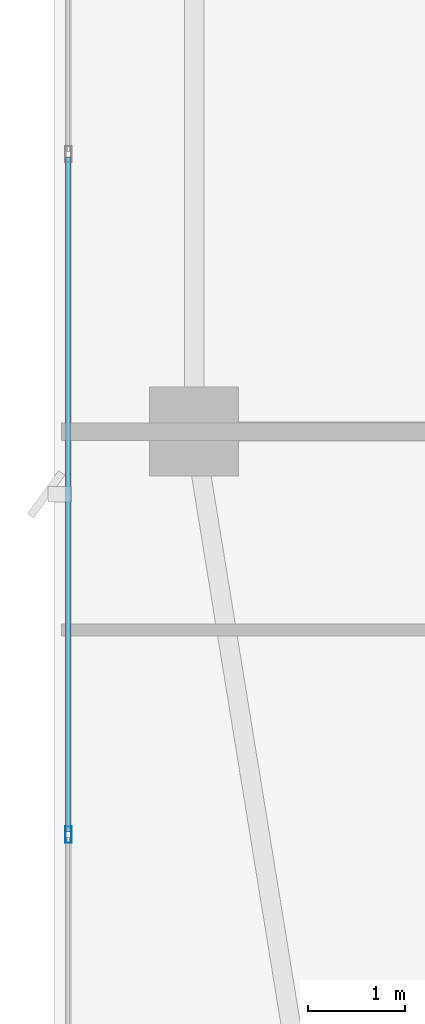
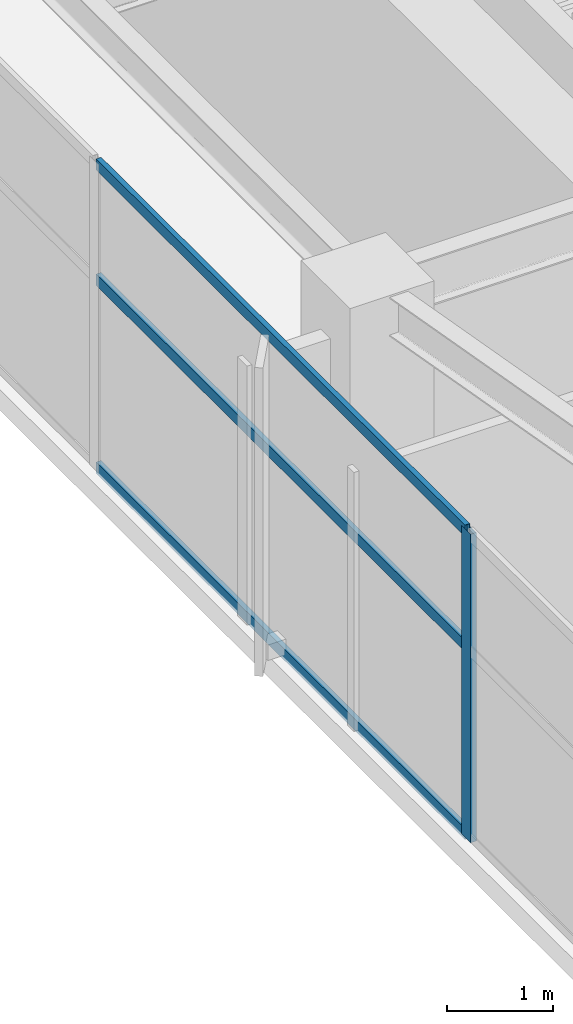
# One storey, part 5 of 29: 4 members, 1 element without a shape of its own.
"""IFC4 building model written with IfcOpenShell, lengths in metres."""

from ifc_helpers import new_model, si_unit, direction, frame, origin, origin_2d, place, context, subcontext, project, spatial, hollow_rectangle, extrude, material, layer, layer_set, material_profile, profile_set, type_object, element, aggregate, save


model = new_model("IFC4")

# Units and contexts
model_context = context("Model", 3, precision=1e-05, world=origin(), true_north=direction((0.0, 1.0)))
body_context = subcontext(model_context, "Body", "Model", "MODEL_VIEW")
ifc_project = project(units=[si_unit("LENGTHUNIT", "METRE"), si_unit("AREAUNIT", "SQUARE_METRE"), si_unit("VOLUMEUNIT", "CUBIC_METRE"), si_unit("PLANEANGLEUNIT", "RADIAN"), si_unit("MASSUNIT", "GRAM", prefix="KILO")], contexts=[model_context])

# Site, building, storey
site_placement = place(None, origin())
site = spatial("IfcSite", under=ifc_project, at=site_placement, CompositionType="ELEMENT")
building_placement = place(site_placement, origin())
building = spatial("IfcBuilding", under=site, at=building_placement, Name="Calvorn Quay Hotel", CompositionType="ELEMENT")
storey_placement = place(building_placement, frame((0.0, 0.0, 251.39990234375)))
storey = spatial("IfcBuildingStorey", under=building, at=storey_placement, Name="L62", CompositionType="ELEMENT", Elevation=251.39990234375)

# Curtain wall, members
ifc_material_1 = material(Name="Champagne Bronze Anodised Aluminium and Low-E Glass", Category="aluminium")
ifc_layer = layer(ifc_material_1, 0.219970703125)
ifc_layer_set = layer_set([ifc_layer], Name="CW-SYS-Z4")
curtain_wall_type = type_object("IfcCurtainWallType", Name="CW-SYS-Z4", PredefinedType="NOTDEFINED", material=ifc_layer_set)
curtain_wall_placement = place(storey_placement, origin())
curtain_wall = element("IfcCurtainWall", 1, at=curtain_wall_placement, inside=storey, type_object=curtain_wall_type, Name="Tower West Curtain Wall (L62)", PredefinedType="NOTDEFINED")
ifc_material_2 = material(Name="Champagne Bronze Anodised Aluminium 6063-T6", Category="aluminium")
ifc_material_profile_1 = material_profile(ifc_material_2, hollow_rectangle(XDim=0.06494140625, YDim=0.169921875, WallThickness=0.00341796875, at=origin_2d()), Name="ALU-M170x65x3.5")
ifc_profile_set_1 = profile_set([ifc_material_profile_1], Name="Champagne Bronze Anodised Aluminium 6063-T6")
member_type_1 = type_object("IfcMemberType", Name="CW-SYS-Z4-MUL", PredefinedType="MULLION", material=ifc_profile_set_1)
member_1_placement = place(storey_placement, frame((0.14990234375, 12.63330078125, 0.0), z_axis=(0.0, 0.0, 1.0), x_axis=(-1.0, 0.0, 0.0)))
member_1 = element("IfcMember", 2, at=member_1_placement, type_object=member_type_1, Name="CW-L62-W mullion 2", PredefinedType="MULLION", context=body_context, shape_type="SweptSolid", body=[
    extrude(hollow_rectangle(XDim=0.06494140625, YDim=0.169921875, WallThickness=0.00341796875, at=origin_2d()), origin(), (0.0, 0.0, 1.0), 3.56005859375),
])
ifc_material_3 = material(Name="Champagne Bronze Anodised Aluminium 6063-T6", Category="aluminium")
ifc_material_profile_2 = material_profile(ifc_material_3, hollow_rectangle(XDim=0.054931640625, YDim=0.1298828125, WallThickness=0.003173828125, at=origin_2d()), Name="ALU-T130x55x3.2")
ifc_profile_set_2 = profile_set([ifc_material_profile_2], Name="Champagne Bronze Anodised Aluminium 6063-T6")
member_type_2 = type_object("IfcMemberType", Name="CW-SYS-Z4-TRN", PredefinedType="USERDEFINED", material=ifc_profile_set_2)
member_2_placement = place(storey_placement, frame((0.14990234375, 12.663330078125, 0.030029296875), z_axis=(0.0, 1.0, 0.0), x_axis=(-1.0, 0.0, 0.0)))
member_2 = element("IfcMember", 3, at=member_2_placement, type_object=member_type_2, Name="CW-L62-W transom 2.1", ObjectType="TRANSOM", PredefinedType="USERDEFINED", context=body_context, shape_type="SweptSolid", body=[
    extrude(hollow_rectangle(XDim=0.054931640625, YDim=0.1298828125, WallThickness=0.003173828125, at=origin_2d()), origin(), (0.0, 0.0, 1.0), 6.973388671875),
])
member_3_placement = place(storey_placement, frame((0.14990234375, 12.663330078125, 2.2001953125), z_axis=(0.0, 1.0, 0.0), x_axis=(-1.0, 0.0, 0.0)))
member_3 = element("IfcMember", 4, at=member_3_placement, type_object=member_type_2, Name="CW-L62-W transom 2.2", ObjectType="TRANSOM", PredefinedType="USERDEFINED", context=body_context, shape_type="SweptSolid", body=[
    extrude(hollow_rectangle(XDim=0.054931640625, YDim=0.1298828125, WallThickness=0.003173828125, at=origin_2d()), origin(), (0.0, 0.0, 1.0), 6.973388671875),
])
member_4_placement = place(storey_placement, frame((0.14990234375, 12.663330078125, 3.530029296875), z_axis=(0.0, 1.0, 0.0), x_axis=(-1.0, 0.0, 0.0)))
member_4 = element("IfcMember", 5, at=member_4_placement, type_object=member_type_2, Name="CW-L62-W transom 2.3", ObjectType="TRANSOM", PredefinedType="USERDEFINED", context=body_context, shape_type="SweptSolid", body=[
    extrude(hollow_rectangle(XDim=0.054931640625, YDim=0.1298828125, WallThickness=0.003173828125, at=origin_2d()), origin(), (0.0, 0.0, 1.0), 6.973388671875),
])
aggregate(curtain_wall, [member_1, member_2, member_3, member_4])

save(model, "model.ifc")
